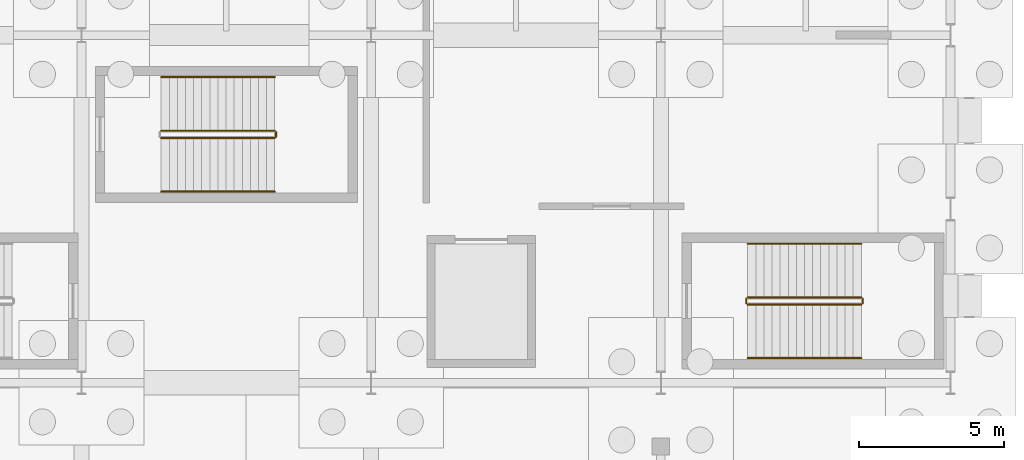
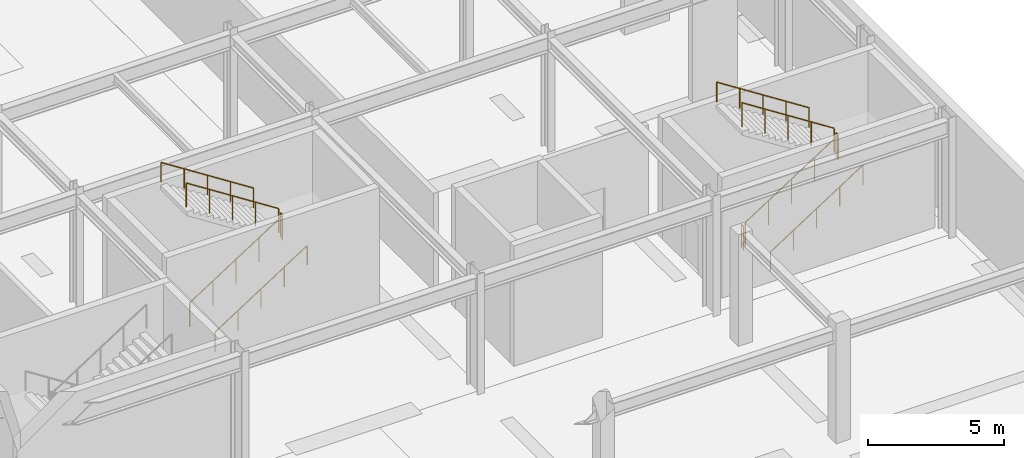
# One storey, part 62 of 65: 11 railings.
"""IFC4 building model written with IfcOpenShell, lengths in metres."""

from ifc_helpers import new_model, si_unit, direction, frame, origin, origin_2d, place, context, subcontext, project, spatial, circle, extrude, material, type_object, element, save


model = new_model("IFC4")

# Units and contexts
model_context = context("Model", 3, precision=1e-05, world=origin(), true_north=direction((0.0, 1.0)))
body_context = subcontext(model_context, "Body", "Model", "MODEL_VIEW")
ifc_project = project(units=[si_unit("LENGTHUNIT", "METRE"), si_unit("AREAUNIT", "SQUARE_METRE"), si_unit("VOLUMEUNIT", "CUBIC_METRE"), si_unit("PLANEANGLEUNIT", "RADIAN"), si_unit("MASSUNIT", "GRAM", prefix="KILO")], contexts=[model_context])

# Site, building, storey
site_placement = place(None, origin())
site = spatial("IfcSite", under=ifc_project, at=site_placement, CompositionType="ELEMENT")
building_placement = place(site_placement, origin())
building = spatial("IfcBuilding", under=site, at=building_placement, Name="Kaldris Quays Convention Centre", CompositionType="ELEMENT")
storey_placement = place(building_placement, frame((0.0, 0.0, -5.39990234375)))
storey = spatial("IfcBuildingStorey", under=building, at=storey_placement, Name="B1", CompositionType="ELEMENT", Elevation=-5.39990234375)

# Railings
ifc_material_1 = material(Name="Steel S355J2", Category="steel")
railing_type_1 = type_object("IfcRailingType", Name="INTERIOR GUARDRAIL GR01", PredefinedType="GUARDRAIL", material=ifc_material_1)
railing_1_placement = place(storey_placement, frame((197.0, 58.699951171875, 0.179931640625)))
element("IfcRailing", 1, at=railing_1_placement, inside=storey, type_object=railing_type_1, Name="B1 ST09 Stair Guardrail 1", PredefinedType="GUARDRAIL", context=body_context, shape_type="SweptSolid", body=[
    extrude(circle(Radius=0.02392578125, at=origin_2d()), frame((0.0, 0.0, 1.076171875), z_axis=(0.841171666519, 0.0, 0.540768182723), x_axis=(0.0, 1.0, 0.0)), (0.0, 0.0, 1.0), 4.66015625),
    extrude(circle(Radius=0.02099609375, at=origin_2d()), origin(), (0.0, 0.0, 1.0), 1.052001953125),
    extrude(circle(Radius=0.02099609375, at=origin_2d()), frame((0.97998046875, 0.0, 0.6298828125)), (0.0, 0.0, 1.0), 1.052001953125),
    extrude(circle(Radius=0.02099609375, at=origin_2d()), frame((1.9599609375, 0.0, 1.260009765625)), (0.0, 0.0, 1.0), 1.052001953125),
    extrude(circle(Radius=0.02099609375, at=origin_2d()), frame((2.93994140625, 0.0, 1.89013671875)), (0.0, 0.0, 1.0), 1.052001953125),
    extrude(circle(Radius=0.02099609375, at=origin_2d()), frame((3.919921875, 0.0, 2.52001953125)), (0.0, 0.0, 1.0), 1.052001953125),
])
railing_2_placement = place(storey_placement, frame((200.969970703125, 58.75, 2.699951171875)))
element("IfcRailing", 2, at=railing_2_placement, inside=storey, type_object=railing_type_1, Name="B1 ST09 Stair Guardrail 2", PredefinedType="GUARDRAIL", context=body_context, shape_type="SweptSolid", body=[
    extrude(circle(Radius=0.02392578125, at=origin_2d()), frame((0.0, 0.0, 1.076171875), z_axis=(0.0, 1.0, 0.0), x_axis=(-1.0, 0.0, 0.0)), (0.0, 0.0, 1.0), 0.14990234375),
    extrude(circle(Radius=0.02099609375, at=origin_2d()), origin(), (0.0, 0.0, 1.0), 1.052001953125),
    extrude(circle(Radius=0.02099609375, at=origin_2d()), frame((0.0, 0.14990234375, 0.0)), (0.0, 0.0, 1.0), 1.052001953125),
])
railing_3_placement = place(storey_placement, frame((200.919921875, 58.949951171875, 2.8798828125)))
element("IfcRailing", 3, at=railing_3_placement, inside=storey, type_object=railing_type_1, Name="B1 ST09 Stair Guardrail 3", PredefinedType="GUARDRAIL", context=body_context, shape_type="SweptSolid", body=[
    extrude(circle(Radius=0.02392578125, at=origin_2d()), frame((0.0, 0.0, 1.076171875), z_axis=(-0.841171666519, 0.0, 0.540768182723), x_axis=(0.0, -1.0, 0.0)), (0.0, 0.0, 1.0), 4.66015625),
    extrude(circle(Radius=0.02099609375, at=origin_2d()), origin(), (0.0, 0.0, 1.0), 1.052001953125),
    extrude(circle(Radius=0.02099609375, at=origin_2d()), frame((-0.97998046875, 0.0, 0.6298828125)), (0.0, 0.0, 1.0), 1.052001953125),
    extrude(circle(Radius=0.02099609375, at=origin_2d()), frame((-1.9599609375, 0.0, 1.260009765625)), (0.0, 0.0, 1.0), 1.052001953125),
    extrude(circle(Radius=0.02099609375, at=origin_2d()), frame((-2.93994140625, 0.0, 1.89013671875)), (0.0, 0.0, 1.0), 1.052001953125),
    extrude(circle(Radius=0.02099609375, at=origin_2d()), frame((-3.919921875, 0.0, 2.52001953125)), (0.0, 0.0, 1.0), 1.052001953125),
])
railing_4_placement = place(storey_placement, frame((196.949951171875, 58.75, 0.0)))
element("IfcRailing", 4, at=railing_4_placement, inside=storey, type_object=railing_type_1, Name="B1 ST09 Stair Guardrail 4", PredefinedType="GUARDRAIL", context=body_context, shape_type="SweptSolid", body=[
    extrude(circle(Radius=0.02392578125, at=origin_2d()), frame((0.0, 0.0, 1.076171875), z_axis=(0.0, 1.0, 0.0), x_axis=(-1.0, 0.0, 0.0)), (0.0, 0.0, 1.0), 0.14990234375),
    extrude(circle(Radius=0.02099609375, at=origin_2d()), origin(), (0.0, 0.0, 1.0), 1.052001953125),
    extrude(circle(Radius=0.02099609375, at=origin_2d()), frame((0.0, 0.14990234375, 0.0)), (0.0, 0.0, 1.0), 1.052001953125),
])
railing_5_placement = place(storey_placement, frame((176.75, 64.449951171875, 0.179931640625)))
element("IfcRailing", 5, at=railing_5_placement, inside=storey, type_object=railing_type_1, Name="B1 ST10 Stair Guardrail 1", PredefinedType="GUARDRAIL", context=body_context, shape_type="SweptSolid", body=[
    extrude(circle(Radius=0.02392578125, at=origin_2d()), frame((0.0, 0.0, 1.076171875), z_axis=(0.841171666519, 0.0, 0.540768182723), x_axis=(0.0, 1.0, 0.0)), (0.0, 0.0, 1.0), 4.66015625),
    extrude(circle(Radius=0.02099609375, at=origin_2d()), origin(), (0.0, 0.0, 1.0), 1.052001953125),
    extrude(circle(Radius=0.02099609375, at=origin_2d()), frame((0.97998046875, 0.0, 0.6298828125)), (0.0, 0.0, 1.0), 1.052001953125),
    extrude(circle(Radius=0.02099609375, at=origin_2d()), frame((1.9599609375, 0.0, 1.260009765625)), (0.0, 0.0, 1.0), 1.052001953125),
    extrude(circle(Radius=0.02099609375, at=origin_2d()), frame((2.93994140625, 0.0, 1.89013671875)), (0.0, 0.0, 1.0), 1.052001953125),
    extrude(circle(Radius=0.02099609375, at=origin_2d()), frame((3.919921875, 0.0, 2.52001953125)), (0.0, 0.0, 1.0), 1.052001953125),
])
railing_6_placement = place(storey_placement, frame((180.719970703125, 64.5, 2.699951171875)))
element("IfcRailing", 6, at=railing_6_placement, inside=storey, type_object=railing_type_1, Name="B1 ST10 Stair Guardrail 2", PredefinedType="GUARDRAIL", context=body_context, shape_type="SweptSolid", body=[
    extrude(circle(Radius=0.02392578125, at=origin_2d()), frame((0.0, 0.0, 1.076171875), z_axis=(0.0, 1.0, 0.0), x_axis=(-1.0, 0.0, 0.0)), (0.0, 0.0, 1.0), 0.14990234375),
    extrude(circle(Radius=0.02099609375, at=origin_2d()), origin(), (0.0, 0.0, 1.0), 1.052001953125),
    extrude(circle(Radius=0.02099609375, at=origin_2d()), frame((0.0, 0.14990234375, 0.0)), (0.0, 0.0, 1.0), 1.052001953125),
])
railing_7_placement = place(storey_placement, frame((180.669921875, 64.699951171875, 2.8798828125)))
element("IfcRailing", 7, at=railing_7_placement, inside=storey, type_object=railing_type_1, Name="B1 ST10 Stair Guardrail 3", PredefinedType="GUARDRAIL", context=body_context, shape_type="SweptSolid", body=[
    extrude(circle(Radius=0.02392578125, at=origin_2d()), frame((0.0, 0.0, 1.076171875), z_axis=(-0.841171666519, 0.0, 0.540768182723), x_axis=(0.0, -1.0, 0.0)), (0.0, 0.0, 1.0), 4.66015625),
    extrude(circle(Radius=0.02099609375, at=origin_2d()), origin(), (0.0, 0.0, 1.0), 1.052001953125),
    extrude(circle(Radius=0.02099609375, at=origin_2d()), frame((-0.97998046875, 0.0, 0.6298828125)), (0.0, 0.0, 1.0), 1.052001953125),
    extrude(circle(Radius=0.02099609375, at=origin_2d()), frame((-1.9599609375, 0.0, 1.260009765625)), (0.0, 0.0, 1.0), 1.052001953125),
    extrude(circle(Radius=0.02099609375, at=origin_2d()), frame((-2.93994140625, 0.0, 1.89013671875)), (0.0, 0.0, 1.0), 1.052001953125),
    extrude(circle(Radius=0.02099609375, at=origin_2d()), frame((-3.919921875, 0.0, 2.52001953125)), (0.0, 0.0, 1.0), 1.052001953125),
])
ifc_material_2 = material(Name="Stainless steel 1.4301", Category="steel")
railing_type_2 = type_object("IfcRailingType", Name="STAIR HANDRAIL HR01", PredefinedType="HANDRAIL", material=ifc_material_2)
railing_8_placement = place(storey_placement, frame((197.0, 56.85009765625, 0.179931640625)))
element("IfcRailing", 8, at=railing_8_placement, inside=storey, type_object=railing_type_2, Name="B1 ST09 Flight Handrail 1", PredefinedType="HANDRAIL", context=body_context, shape_type="SweptSolid", body=[
    extrude(circle(Radius=0.02392578125, at=origin_2d()), frame((0.0, 0.0, 0.8759765625), z_axis=(0.841171666519, 0.0, 0.540768182723), x_axis=(0.0, 1.0, 0.0)), (0.0, 0.0, 1.0), 4.66015625),
    extrude(circle(Radius=0.02099609375, at=origin_2d()), origin(), (0.0, 0.0, 1.0), 0.851806640625),
    extrude(circle(Radius=0.02099609375, at=origin_2d()), frame((0.97998046875, 0.0, 0.6298828125)), (0.0, 0.0, 1.0), 0.851806640625),
    extrude(circle(Radius=0.02099609375, at=origin_2d()), frame((1.9599609375, 0.0, 1.260009765625)), (0.0, 0.0, 1.0), 0.851806640625),
    extrude(circle(Radius=0.02099609375, at=origin_2d()), frame((2.93994140625, 0.0, 1.89013671875)), (0.0, 0.0, 1.0), 0.851806640625),
    extrude(circle(Radius=0.02099609375, at=origin_2d()), frame((3.919921875, 0.0, 2.52001953125)), (0.0, 0.0, 1.0), 0.851806640625),
])
railing_9_placement = place(storey_placement, frame((200.919921875, 60.800048828125, 2.8798828125)))
element("IfcRailing", 9, at=railing_9_placement, inside=storey, type_object=railing_type_2, Name="B1 ST09 Flight Handrail 2", PredefinedType="HANDRAIL", context=body_context, shape_type="SweptSolid", body=[
    extrude(circle(Radius=0.02392578125, at=origin_2d()), frame((0.0, 0.0, 0.8759765625), z_axis=(-0.841171666519, 0.0, 0.540768182723), x_axis=(0.0, -1.0, 0.0)), (0.0, 0.0, 1.0), 4.66015625),
    extrude(circle(Radius=0.02099609375, at=origin_2d()), origin(), (0.0, 0.0, 1.0), 0.851806640625),
    extrude(circle(Radius=0.02099609375, at=origin_2d()), frame((-0.97998046875, 0.0, 0.6298828125)), (0.0, 0.0, 1.0), 0.851806640625),
    extrude(circle(Radius=0.02099609375, at=origin_2d()), frame((-1.9599609375, 0.0, 1.260009765625)), (0.0, 0.0, 1.0), 0.851806640625),
    extrude(circle(Radius=0.02099609375, at=origin_2d()), frame((-2.93994140625, 0.0, 1.89013671875)), (0.0, 0.0, 1.0), 0.851806640625),
    extrude(circle(Radius=0.02099609375, at=origin_2d()), frame((-3.919921875, 0.0, 2.52001953125)), (0.0, 0.0, 1.0), 0.851806640625),
])
railing_10_placement = place(storey_placement, frame((176.75, 62.60009765625, 0.179931640625)))
element("IfcRailing", 10, at=railing_10_placement, inside=storey, type_object=railing_type_2, Name="B1 ST10 Flight Handrail 1", PredefinedType="HANDRAIL", context=body_context, shape_type="SweptSolid", body=[
    extrude(circle(Radius=0.02392578125, at=origin_2d()), frame((0.0, 0.0, 0.8759765625), z_axis=(0.841171666519, 0.0, 0.540768182723), x_axis=(0.0, 1.0, 0.0)), (0.0, 0.0, 1.0), 4.66015625),
    extrude(circle(Radius=0.02099609375, at=origin_2d()), origin(), (0.0, 0.0, 1.0), 0.851806640625),
    extrude(circle(Radius=0.02099609375, at=origin_2d()), frame((0.97998046875, 0.0, 0.6298828125)), (0.0, 0.0, 1.0), 0.851806640625),
    extrude(circle(Radius=0.02099609375, at=origin_2d()), frame((1.9599609375, 0.0, 1.260009765625)), (0.0, 0.0, 1.0), 0.851806640625),
    extrude(circle(Radius=0.02099609375, at=origin_2d()), frame((2.93994140625, 0.0, 1.89013671875)), (0.0, 0.0, 1.0), 0.851806640625),
    extrude(circle(Radius=0.02099609375, at=origin_2d()), frame((3.919921875, 0.0, 2.52001953125)), (0.0, 0.0, 1.0), 0.851806640625),
])
railing_11_placement = place(storey_placement, frame((180.669921875, 66.550048828125, 2.8798828125)))
element("IfcRailing", 11, at=railing_11_placement, inside=storey, type_object=railing_type_2, Name="B1 ST10 Flight Handrail 2", PredefinedType="HANDRAIL", context=body_context, shape_type="SweptSolid", body=[
    extrude(circle(Radius=0.02392578125, at=origin_2d()), frame((0.0, 0.0, 0.8759765625), z_axis=(-0.841171666519, 0.0, 0.540768182723), x_axis=(0.0, -1.0, 0.0)), (0.0, 0.0, 1.0), 4.66015625),
    extrude(circle(Radius=0.02099609375, at=origin_2d()), origin(), (0.0, 0.0, 1.0), 0.851806640625),
    extrude(circle(Radius=0.02099609375, at=origin_2d()), frame((-0.97998046875, 0.0, 0.6298828125)), (0.0, 0.0, 1.0), 0.851806640625),
    extrude(circle(Radius=0.02099609375, at=origin_2d()), frame((-1.9599609375, 0.0, 1.260009765625)), (0.0, 0.0, 1.0), 0.851806640625),
    extrude(circle(Radius=0.02099609375, at=origin_2d()), frame((-2.93994140625, 0.0, 1.89013671875)), (0.0, 0.0, 1.0), 0.851806640625),
    extrude(circle(Radius=0.02099609375, at=origin_2d()), frame((-3.919921875, 0.0, 2.52001953125)), (0.0, 0.0, 1.0), 0.851806640625),
])

save(model, "model.ifc")
